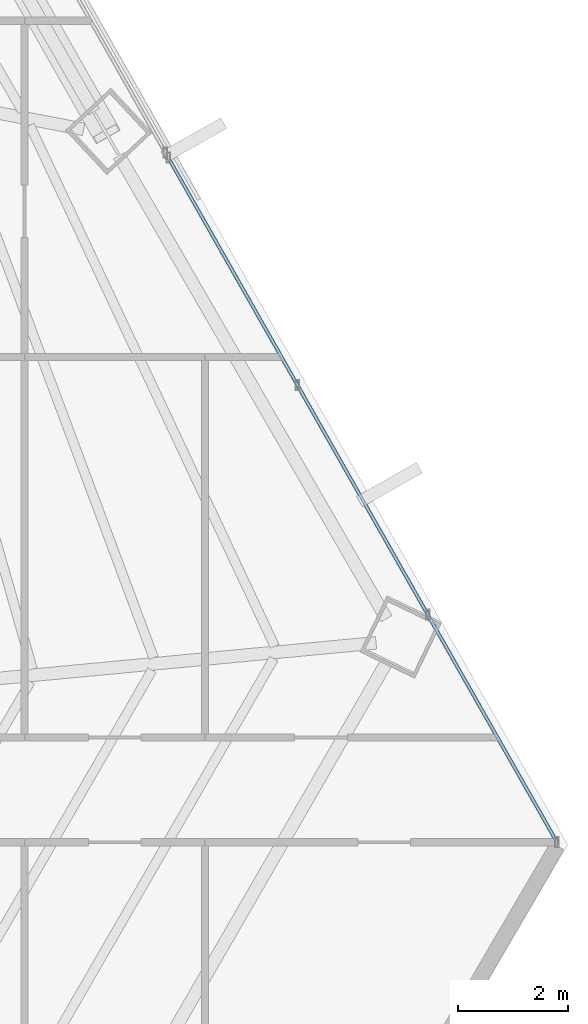
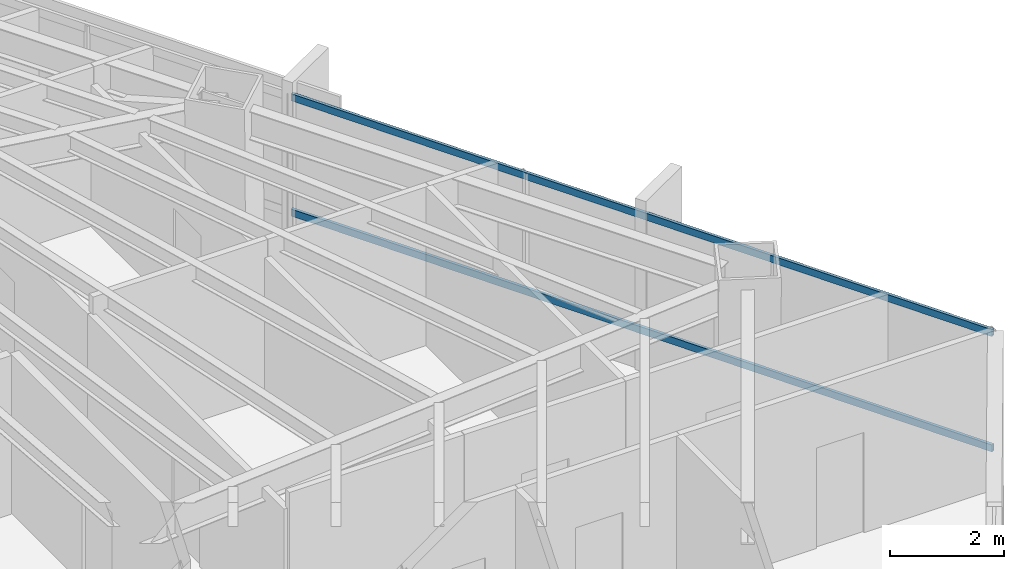
# One storey, part 24 of 37: 2 members, 1 element without a shape of its own.
"""IFC4 building model written with IfcOpenShell, lengths in metres."""

from ifc_helpers import new_model, si_unit, direction, frame, origin, origin_2d, place, context, subcontext, project, spatial, hollow_rectangle, extrude, source, transform, mapped, material, material_profile, profile_set, type_object, type_shapes, element, aggregate, save


model = new_model("IFC4")

# Units and contexts
model_context = context("Model", 3, precision=1e-05, world=origin(), true_north=direction((0.0, 1.0)))
body_context = subcontext(model_context, "Body", "Model", "MODEL_VIEW")
ifc_project = project(units=[si_unit("LENGTHUNIT", "METRE"), si_unit("AREAUNIT", "SQUARE_METRE"), si_unit("VOLUMEUNIT", "CUBIC_METRE"), si_unit("PLANEANGLEUNIT", "RADIAN"), si_unit("MASSUNIT", "GRAM", prefix="KILO")], contexts=[model_context])

# Site, building, storey
site_placement = place(None, origin())
site = spatial("IfcSite", under=ifc_project, at=site_placement, CompositionType="ELEMENT")
building_placement = place(site_placement, origin())
building = spatial("IfcBuilding", under=site, at=building_placement, Name="Caelisora Broadcast Tower", CompositionType="ELEMENT")
storey_placement = place(building_placement, frame((0.0, 0.0, 120.0)))
storey = spatial("IfcBuildingStorey", under=building, at=storey_placement, Name="L31", CompositionType="ELEMENT", Elevation=120.0)

# Curtain wall, members
ifc_material_1 = material(Name="Unitised Aluminium and Low-E Glass Curtain Wall", Category="glass")
curtain_wall_type = type_object("IfcCurtainWallType", Name="CW-Z2", PredefinedType="NOTDEFINED", material=ifc_material_1)
curtain_wall_placement = place(storey_placement, origin())
curtain_wall = element("IfcCurtainWall", 1, at=curtain_wall_placement, inside=storey, type_object=curtain_wall_type, Name="L31 curtain wall CW-Z2", PredefinedType="NOTDEFINED")
ifc_material_2 = material(Name="Aluminium 6063-T6 Anodised Terracotta Bronze", Category="aluminium")
ifc_material_profile = material_profile(ifc_material_2, hollow_rectangle(XDim=0.06005859375, YDim=0.14990234375, WallThickness=0.00341796875, at=origin_2d()), Name="Aluminium 6063-T6 Anodised Terracotta Bronze")
ifc_profile_set = profile_set([ifc_material_profile], Name="Aluminium 6063-T6 Anodised Terracotta Bronze")
member_type = type_object("IfcMemberType", Name="CWT-02", PredefinedType="USERDEFINED", material=ifc_profile_set)
shared_shape = source(origin(), body_context, "Body", "SweptSolid", [
    extrude(hollow_rectangle(XDim=0.06005859375, YDim=0.14990234375, WallThickness=0.00341796875, at=origin_2d()), origin(), (0.0, 0.0, 1.0), 14.267333984375),
])
type_shapes(member_type, [shared_shape])
member_1_placement = place(storey_placement, frame((56.760009765625, 27.61181640625, 0.85009765625), z_axis=(0.493724795876, -0.869618206995, 0.0), x_axis=(0.869618206995, 0.493724795876, 0.0)))
member_1 = element("IfcMember", 2, at=member_1_placement, type_object=member_type, Name="L31-CW-B03 transom #1", ObjectType="TRANSOM", PredefinedType="USERDEFINED", context=body_context, shape_type="MappedRepresentation", body=[
    mapped(shared_shape, transform((0.0, 0.0, 0.0), scale=1.0)),
])
member_2_placement = place(storey_placement, frame((56.760009765625, 27.61181640625, 3.320068359375), z_axis=(0.493724795876, -0.869618206995, 0.0), x_axis=(0.869618206995, 0.493724795876, 0.0)))
member_2 = element("IfcMember", 3, at=member_2_placement, type_object=member_type, Name="L31-CW-B03 transom #2", ObjectType="TRANSOM", PredefinedType="USERDEFINED", context=body_context, shape_type="MappedRepresentation", body=[
    mapped(shared_shape, transform((0.0, 0.0, 0.0), scale=1.0)),
])
aggregate(curtain_wall, [member_1, member_2])

save(model, "model.ifc")
